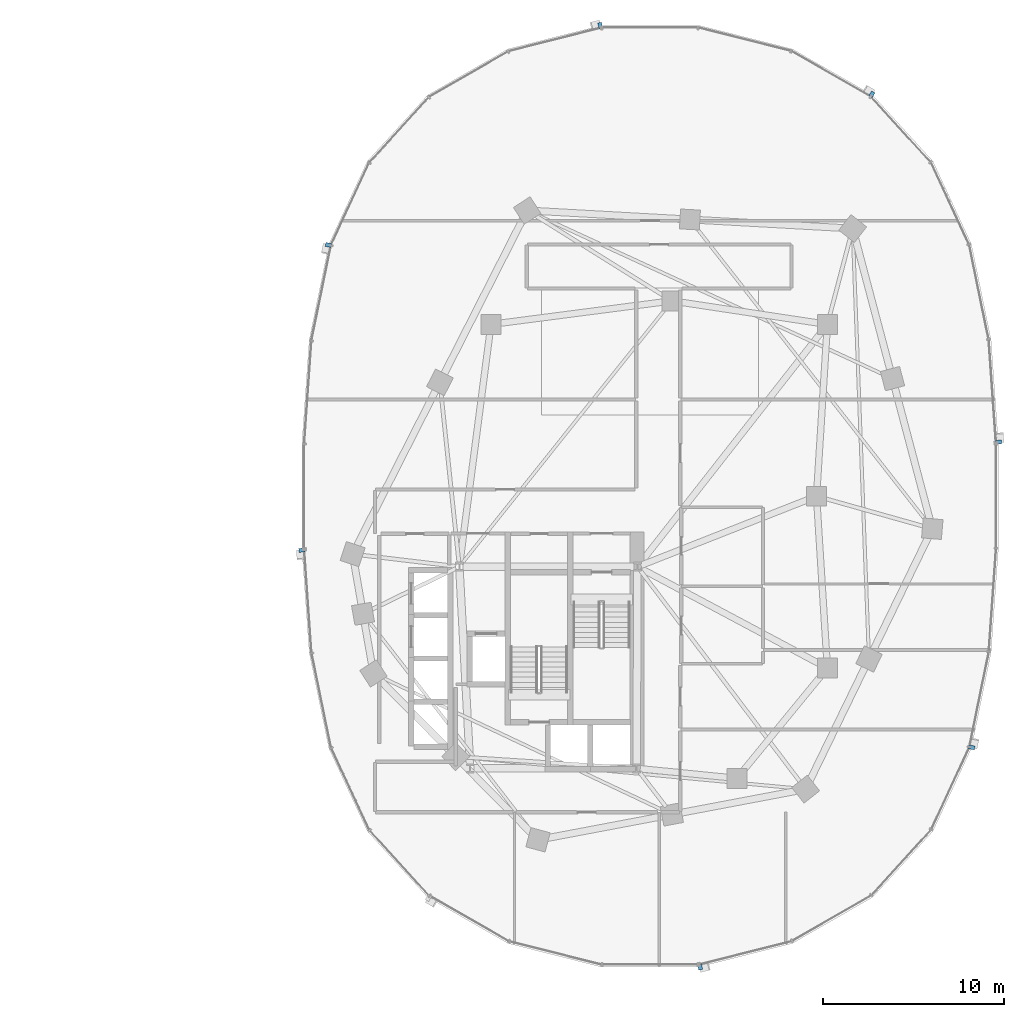
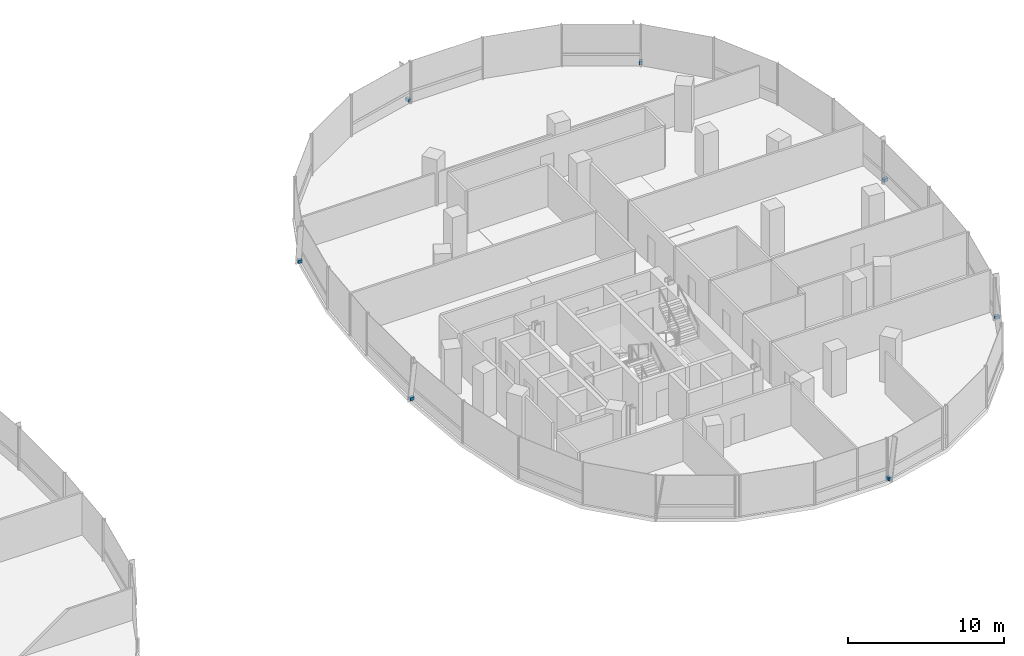
# One storey, part 16 of 21: 7 discrete accessories.
"""IFC4 building model written with IfcOpenShell, lengths in metres."""

from ifc_helpers import new_model, si_unit, direction, frame, origin, origin_2d, place, context, subcontext, project, spatial, rectangle, extrude, material, type_object, element, save


model = new_model("IFC4")

# Units and contexts
model_context = context("Model", 3, precision=1e-05, world=origin(), true_north=direction((0.0, 1.0)))
body_context = subcontext(model_context, "Body", "Model", "MODEL_VIEW")
ifc_project = project(units=[si_unit("LENGTHUNIT", "METRE"), si_unit("AREAUNIT", "SQUARE_METRE"), si_unit("VOLUMEUNIT", "CUBIC_METRE"), si_unit("PLANEANGLEUNIT", "RADIAN"), si_unit("MASSUNIT", "GRAM", prefix="KILO"), si_unit("THERMODYNAMICTEMPERATUREUNIT", "KELVIN"), si_unit("POWERUNIT", "WATT")], contexts=[model_context])

# Site, building, storey
site_placement = place(None, origin())
site = spatial("IfcSite", under=ifc_project, at=site_placement, CompositionType="ELEMENT")
building_placement = place(site_placement, origin())
building = spatial("IfcBuilding", under=site, at=building_placement, Name="Cundina Bronze Exchange", CompositionType="ELEMENT")
storey_placement = place(building_placement, frame((0.0, 0.0, 114.199951171875)))
storey = spatial("IfcBuildingStorey", under=building, at=storey_placement, Name="L29", CompositionType="ELEMENT", Elevation=114.199951171875)

# Discrete accessories
ifc_material = material(Name="Anodised Bronze Aluminium 6063-T6", Category="aluminium")
discrete_accessory_type = type_object("IfcDiscreteAccessoryType", Name="ACC-BRK-FIN", PredefinedType="BRACKET", material=ifc_material)
for number, where, z_axis, x_axis, name in (
    (1, (51.264404296875, 2.986083984375, 0.10009765625), (0.0, 0.0, 1.0), (-0.070278787473, 0.997527389113, 0.0), "L29 Fin Support Bracket 1"),
    (2, (44.259521484375, 22.21875, 0.10009765625), (0.0, 0.0, 1.0), (-0.867105478933, 0.498124571171, 0.0), "L29 Fin Support Bracket 5"),
    (3, (29.23974609375, 26.03173828125, 0.10009765625), (0.0, 0.0, 1.0), (-0.969488149345, -0.245138182011, 0.0), "L29 Fin Support Bracket 1"),
    (4, (14.211669921875, 13.8896484375, 0.10009765625), (0.0, 0.0, 1.0), (-0.201419845156, -0.979505000486, 0.0), "L29 Fin Support Bracket 5"),
    (5, (12.735595703125, -2.986083984375, 0.10009765625), (0.0, 0.0, 1.0), (0.070278787473, -0.997527389113, 0.0), "L29 Fin Support Bracket 1"),
    (6, (34.76025390625, -26.03173828125, 0.10009765625), (0.0, 0.0, 1.0), (0.969488149345, 0.245138182011, 0.0), "L29 Fin Support Bracket 1"),
    (7, (49.788330078125, -13.8896484375, 0.10009765625), (0.0, 0.0, 1.0), (0.201419845156, 0.979505000486, 0.0), "L29 Fin Support Bracket 5"),
):
    element("IfcDiscreteAccessory", number, at=place(storey_placement, frame(where, z_axis=z_axis, x_axis=x_axis)), inside=storey, type_object=discrete_accessory_type, Name=name, PredefinedType="BRACKET", context=body_context, shape_type="SweptSolid", body=[
        extrude(rectangle(XDim=0.219970703125, YDim=0.320068359375, at=origin_2d()), origin(), (0.0, 0.0, 1.0), 0.239990234375),
    ])

save(model, "model.ifc")
